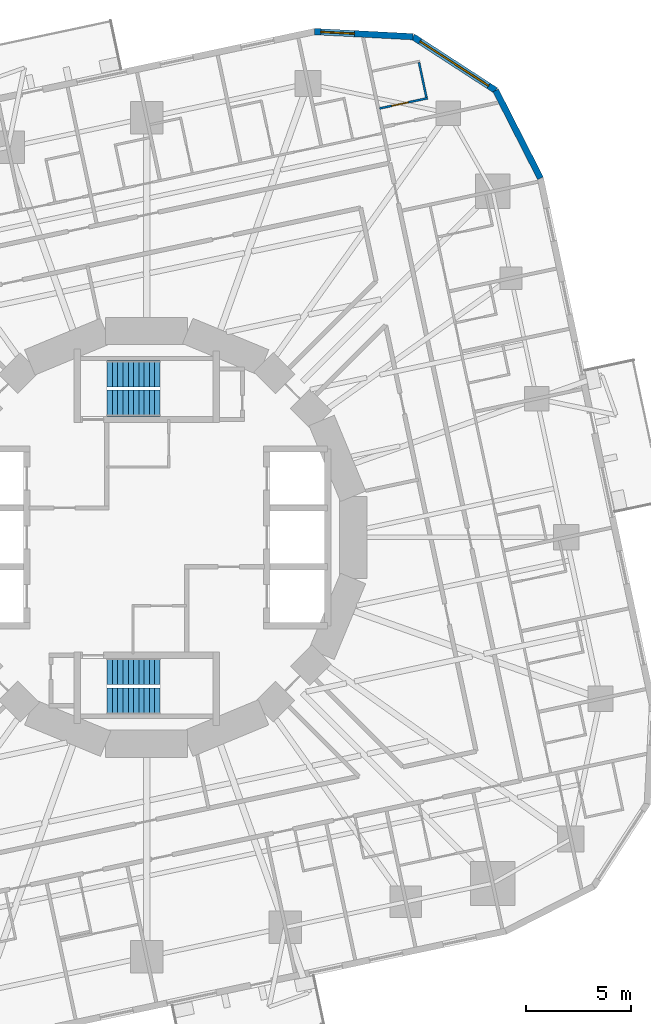
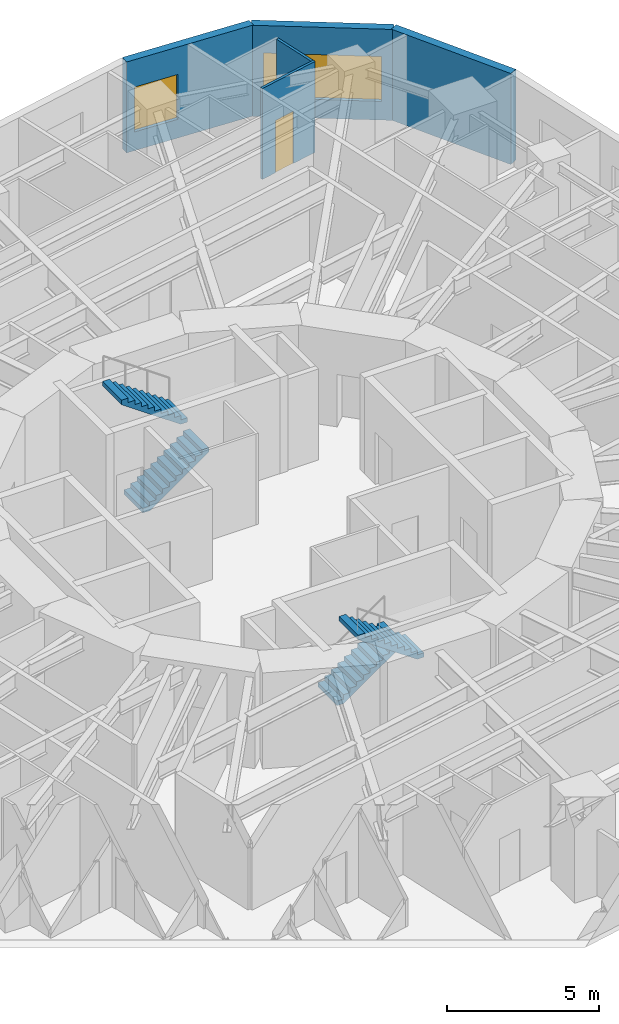
# One storey, part 12 of 14: 5 walls, 4 stair flights, 2 windows, 1 door, 3 openings, 2 elements without a shape of their own.
"""IFC4 building model written with IfcOpenShell, lengths in metres."""

from ifc_helpers import new_model, si_unit, direction, frame, frame_2d, origin, place, context, subcontext, project, spatial, polyline, rectangle, outline, extrude, material, layer, layer_set, type_object, element, fill, aggregate, save


model = new_model("IFC4")

# Units and contexts
model_context = context("Model", 3, precision=1e-05, world=origin(), true_north=direction((0.0, 1.0)))
body_context = subcontext(model_context, "Body", "Model", "MODEL_VIEW")
ifc_project = project(units=[si_unit("LENGTHUNIT", "METRE"), si_unit("AREAUNIT", "SQUARE_METRE"), si_unit("VOLUMEUNIT", "CUBIC_METRE"), si_unit("PLANEANGLEUNIT", "RADIAN"), si_unit("MASSUNIT", "GRAM", prefix="KILO")], contexts=[model_context])

# Site, building, storey
site_placement = place(None, origin())
site = spatial("IfcSite", under=ifc_project, at=site_placement, CompositionType="ELEMENT")
building_placement = place(site_placement, origin())
building = spatial("IfcBuilding", under=site, at=building_placement, Name="Nakasero Lantern House", CompositionType="ELEMENT")
storey_placement = place(building_placement, frame((0.0, 0.0, 108.85009765625)))
storey = spatial("IfcBuildingStorey", under=building, at=storey_placement, Name="L26", CompositionType="ELEMENT", Elevation=108.85009765625)

# Wall, opening, door
ifc_material_1 = material(Name="Blockwork", Category="masonry")
ifc_layer_1 = layer(ifc_material_1, 0.10009765625)
ifc_layer_set_1 = layer_set([ifc_layer_1], Name="En-suite wall 100")
wall_type_1 = type_object("IfcWallType", Name="En-suite wall 100", PredefinedType="PARTITIONING", material=ifc_layer_set_1)
wall_1_placement = place(storey_placement, frame((11.069091796875, 20.382568359375, 0.0), z_axis=(0.0, 0.0, 1.0), x_axis=(0.978136257952, 0.207965047255, 0.0)))
wall_1 = element("IfcWall", 1, at=wall_1_placement, inside=storey, type_object=wall_type_1, Name="En-suite wall L26 ES0-08", PredefinedType="PARTITIONING", context=body_context, shape_type="SweptSolid", body=[
    extrude(rectangle(XDim=2.3349609375, YDim=0.10009765625, at=frame_2d((1.16748046875, 0.0))), origin(), (0.0, 0.0, 1.0), 3.64990234375),
])
opening_1_placement = place(wall_1_placement, frame((0.5849609375, 0.0, 0.0)))
opening_1 = element("IfcOpeningElement", 2, at=opening_1_placement, cuts=wall_1, Name="Opening D02", PredefinedType="OPENING", context=body_context, shape_type="SweptSolid", body=[
    extrude(rectangle(XDim=0.800048828125, YDim=2.10009765625, at=frame_2d((0.39990234375, 1.050048828125))), frame((0.0, 0.070068359375, 0.0), z_axis=(0.0, -1.0, 0.0), x_axis=(1.0, 0.0, 0.0)), (0.0, 0.0, 1.0), 0.14013671875),
])
ifc_material_2 = material(Name="Timber C24", Category="wood")
door_type = type_object("IfcDoorType", Name="En-suite door 800", OperationType="SINGLE_SWING_RIGHT", PredefinedType="DOOR", material=ifc_material_2)
door_placement = place(opening_1_placement, origin())
door = element("IfcDoor", 3, at=door_placement, inside=storey, type_object=door_type, Name="Door L26 DE0-08", OperationType="SINGLE_SWING_LEFT", OverallHeight=2.10009765625, OverallWidth=0.800048828125, PredefinedType="DOOR", context=body_context, shape_type="SweptSolid", body=[
    extrude(rectangle(XDim=0.800048828125, YDim=2.10009765625, at=frame_2d((0.39990234375, 1.050048828125))), frame((0.0, 0.02490234375, 0.0), z_axis=(0.0, -1.0, 0.0), x_axis=(1.0, 0.0, 0.0)), (0.0, 0.0, 1.0), 0.050048828125),
])
fill(opening_1, door)

# Walls
wall_2_placement = place(storey_placement, frame((13.293701171875, 20.906494140625, 0.0), z_axis=(0.0, 0.0, 1.0), x_axis=(-0.207812379357, 0.978168704767, 0.0)))
element("IfcWall", 4, at=wall_2_placement, inside=storey, type_object=wall_type_1, Name="En-suite wall L26 EE0-08", PredefinedType="PARTITIONING", context=body_context, shape_type="SweptSolid", body=[
    extrude(rectangle(XDim=1.699951171875, YDim=0.10009765625, at=frame_2d((0.85009765625, 0.0))), origin(), (0.0, 0.0, 1.0), 3.64990234375),
])
ifc_material_3 = material(Name="Aluminium rainscreen on blockwork", Category="masonry")
ifc_layer_2 = layer(ifc_material_3, 0.300048828125)
ifc_layer_set_2 = layer_set([ifc_layer_2], Name="Facade wall 300")
wall_type_2 = type_object("IfcWallType", Name="Facade wall 300", PredefinedType="SOLIDWALL", material=ifc_layer_set_2)
wall_3_placement = place(storey_placement, frame((18.711181640625, 17.063232421875, 0.0), z_axis=(0.0, 0.0, 1.0), x_axis=(-0.453975745332, 0.89101404178, 0.0)))
element("IfcWall", 5, at=wall_3_placement, inside=storey, type_object=wall_type_2, Name="Facade wall L26 FW0C1", PredefinedType="SOLIDWALL", context=body_context, shape_type="SweptSolid", body=[
    extrude(rectangle(XDim=4.6845703125, YDim=0.300048828125, at=frame_2d((2.34228515625, 0.0))), origin(), (0.0, 0.0, 1.0), 3.64990234375),
])

# Wall, opening, window
wall_4_placement = place(storey_placement, frame((16.58447265625, 21.2373046875, 0.0), z_axis=(0.0, 0.0, 1.0), x_axis=(-0.838692381994, 0.544605442853, 0.0)))
wall_4 = element("IfcWall", 6, at=wall_4_placement, inside=storey, type_object=wall_type_2, Name="Facade wall L26 FW0C2", PredefinedType="SOLIDWALL", context=body_context, shape_type="SweptSolid", body=[
    extrude(rectangle(XDim=4.6845703125, YDim=0.300048828125, at=frame_2d((2.34228515625, 0.0))), origin(), (0.0, 0.0, 1.0), 3.64990234375),
])
opening_2_placement = place(wall_4_placement, frame((0.39990234375, 0.0, 0.75)))
opening_2 = element("IfcOpeningElement", 7, at=opening_2_placement, cuts=wall_4, Name="Opening W238", PredefinedType="OPENING", context=body_context, shape_type="SweptSolid", body=[
    extrude(rectangle(XDim=3.885009765625, YDim=1.800048828125, at=frame_2d((1.9423828125, 0.89990234375))), frame((0.0, 0.169921875, 0.0), z_axis=(0.0, -1.0, 0.0), x_axis=(1.0, 0.0, 0.0)), (0.0, 0.0, 1.0), 0.340087890625),
])
ifc_material_4 = material(Name="Aluminium 6063-T6 and glass", Category="aluminium")
window_type_1 = type_object("IfcWindowType", Name="Corner window 3885x1800", PartitioningType="SINGLE_PANEL", PredefinedType="WINDOW", material=ifc_material_4)
window_1_placement = place(opening_2_placement, origin())
window_1 = element("IfcWindow", 8, at=window_1_placement, inside=storey, type_object=window_type_1, Name="Window L26 WC0", OverallHeight=1.800048828125, OverallWidth=3.885009765625, PartitioningType="SINGLE_PANEL", PredefinedType="WINDOW", context=body_context, shape_type="SweptSolid", body=[
    extrude(rectangle(XDim=3.885009765625, YDim=1.800048828125, at=frame_2d((1.9423828125, 0.89990234375))), frame((0.0, 0.030029296875, 0.0), z_axis=(0.0, -1.0, 0.0), x_axis=(1.0, 0.0, 0.0)), (0.0, 0.0, 1.0), 0.06005859375),
])
fill(opening_2, window_1)

wall_5_placement = place(storey_placement, frame((12.655517578125, 23.78857421875, 0.0), z_axis=(0.0, 0.0, 1.0), x_axis=(-0.998630039879, 0.052326317, 0.0)))
wall_5 = element("IfcWall", 9, at=wall_5_placement, inside=storey, type_object=wall_type_2, Name="Facade wall L26 FW0C3", PredefinedType="SOLIDWALL", context=body_context, shape_type="SweptSolid", body=[
    extrude(rectangle(XDim=4.684326171875, YDim=0.300048828125, at=frame_2d((2.34228515625, 0.0))), origin(), (0.0, 0.0, 1.0), 3.64990234375),
])
opening_3_placement = place(wall_5_placement, frame((2.784912109375, 0.0, 0.75)))
opening_3 = element("IfcOpeningElement", 10, at=opening_3_placement, cuts=wall_5, Name="Opening W01", PredefinedType="OPENING", context=body_context, shape_type="SweptSolid", body=[
    extrude(rectangle(XDim=1.60009765625, YDim=1.800048828125, at=frame_2d((0.800048828125, 0.89990234375))), frame((0.0, 0.169921875, 0.0), z_axis=(0.0, -1.0, 0.0), x_axis=(1.0, 0.0, 0.0)), (0.0, 0.0, 1.0), 0.340087890625),
])
ifc_material_5 = material(Name="Aluminium 6063-T6 and glass", Category="aluminium")
window_type_2 = type_object("IfcWindowType", Name="Bedroom window 1600x1800", PartitioningType="SINGLE_PANEL", PredefinedType="WINDOW", material=ifc_material_5)
window_2_placement = place(opening_3_placement, origin())
window_2 = element("IfcWindow", 11, at=window_2_placement, inside=storey, type_object=window_type_2, Name="Window L26 WN1-00", OverallHeight=1.800048828125, OverallWidth=1.60009765625, PartitioningType="SINGLE_PANEL", PredefinedType="WINDOW", context=body_context, shape_type="SweptSolid", body=[
    extrude(rectangle(XDim=1.60009765625, YDim=1.800048828125, at=frame_2d((0.800048828125, 0.89990234375))), frame((0.0, 0.030029296875, 0.0), z_axis=(0.0, -1.0, 0.0), x_axis=(1.0, 0.0, 0.0)), (0.0, 0.0, 1.0), 0.06005859375),
])
fill(opening_3, window_2)

# Stair, stair flights
ifc_material_6 = material(Name="Concrete C40/50", Category="concrete")
stair_type_1 = type_object("IfcStairType", Name="Escape stair ST1 22 risers", PredefinedType="HALF_TURN_STAIR", material=ifc_material_6)
stair_1_placement = place(storey_placement, origin())
stair_1 = element("IfcStair", 12, at=stair_1_placement, inside=storey, type_object=stair_type_1, Name="Escape stair ST1 L26", PredefinedType="HALF_TURN_STAIR")
ifc_material_7 = material(Name="Concrete C40/50", Category="concrete")
stair_flight_type = type_object("IfcStairFlightType", Name="Escape stair flight", PredefinedType="STRAIGHT", material=ifc_material_7)
stair_flight_1_placement = place(storey_placement, frame((-1.875, 6.375, 0.0), z_axis=(0.0, 0.0, 1.0), x_axis=(1.0, 0.0, 0.0)))
stair_flight_1 = element("IfcStairFlight", 13, at=stair_flight_1_placement, type_object=stair_flight_type, Name="ST1 flight 1", NumberOfRisers=11, NumberOfTreads=10, PredefinedType="STRAIGHT", RiserHeight=0.175, TreadLength=0.25, context=body_context, shape_type="SweptSolid", body=[
    extrude(outline(polyline([(0.0, 0.0), (0.0, 0.175048828125), (0.25, 0.175048828125), (0.25, 0.35009765625), (0.5, 0.35009765625), (0.5, 0.52490234375), (0.75, 0.52490234375), (0.75, 0.699951171875), (1.0, 0.699951171875), (1.0, 0.875), (1.25, 0.875), (1.25, 1.050048828125), (1.5, 1.050048828125), (1.5, 1.22509765625), (1.75, 1.22509765625), (1.75, 1.39990234375), (2.0, 1.39990234375), (2.0, 1.574951171875), (2.25, 1.574951171875), (2.25, 1.75), (2.5, 1.75), (2.5, 1.925048828125), (2.5, 1.567138671875), (0.261474609375, 0.0), (0.0, 0.0)])), frame((0.0, 0.625, 0.0), z_axis=(0.0, -1.0, 0.0), x_axis=(1.0, 0.0, 0.0)), (0.0, 0.0, 1.0), 1.25),
])
stair_flight_2_placement = place(storey_placement, frame((0.625, 7.77490234375, 1.9248046875), z_axis=(0.0, 0.0, 1.0), x_axis=(-1.0, 0.0, 0.0)))
stair_flight_2 = element("IfcStairFlight", 14, at=stair_flight_2_placement, type_object=stair_flight_type, Name="ST1 flight 2", NumberOfRisers=11, NumberOfTreads=10, PredefinedType="STRAIGHT", RiserHeight=0.175, TreadLength=0.25, context=body_context, shape_type="SweptSolid", body=[
    extrude(outline(polyline([(0.0, 0.0), (0.0, 0.175048828125), (0.25, 0.175048828125), (0.25, 0.35009765625), (0.5, 0.35009765625), (0.5, 0.52490234375), (0.75, 0.52490234375), (0.75, 0.699951171875), (1.0, 0.699951171875), (1.0, 0.875), (1.25, 0.875), (1.25, 1.050048828125), (1.5, 1.050048828125), (1.5, 1.22509765625), (1.75, 1.22509765625), (1.75, 1.39990234375), (2.0, 1.39990234375), (2.0, 1.574951171875), (2.25, 1.574951171875), (2.25, 1.75), (2.5, 1.75), (2.5, 1.925048828125), (2.5, 1.567138671875), (0.261474609375, 0.0), (0.0, 0.0)])), frame((0.0, 0.625, 0.0), z_axis=(0.0, -1.0, 0.0), x_axis=(1.0, 0.0, 0.0)), (0.0, 0.0, 1.0), 1.25),
])
aggregate(stair_1, [stair_flight_1, stair_flight_2])

ifc_material_8 = material(Name="Concrete C40/50", Category="concrete")
stair_type_2 = type_object("IfcStairType", Name="Escape stair ST2 22 risers", PredefinedType="HALF_TURN_STAIR", material=ifc_material_8)
stair_2_placement = place(storey_placement, origin())
stair_2 = element("IfcStair", 15, at=stair_2_placement, inside=storey, type_object=stair_type_2, Name="Escape stair ST2 L26", PredefinedType="HALF_TURN_STAIR")
stair_flight_3_placement = place(storey_placement, frame((-1.875, -6.375, 0.0), z_axis=(0.0, 0.0, 1.0), x_axis=(1.0, 0.0, 0.0)))
stair_flight_3 = element("IfcStairFlight", 16, at=stair_flight_3_placement, type_object=stair_flight_type, Name="ST2 flight 1", NumberOfRisers=11, NumberOfTreads=10, PredefinedType="STRAIGHT", RiserHeight=0.175, TreadLength=0.25, context=body_context, shape_type="SweptSolid", body=[
    extrude(outline(polyline([(0.0, 0.0), (0.0, 0.175048828125), (0.25, 0.175048828125), (0.25, 0.35009765625), (0.5, 0.35009765625), (0.5, 0.52490234375), (0.75, 0.52490234375), (0.75, 0.699951171875), (1.0, 0.699951171875), (1.0, 0.875), (1.25, 0.875), (1.25, 1.050048828125), (1.5, 1.050048828125), (1.5, 1.22509765625), (1.75, 1.22509765625), (1.75, 1.39990234375), (2.0, 1.39990234375), (2.0, 1.574951171875), (2.25, 1.574951171875), (2.25, 1.75), (2.5, 1.75), (2.5, 1.925048828125), (2.5, 1.567138671875), (0.261474609375, 0.0), (0.0, 0.0)])), frame((0.0, 0.625, 0.0), z_axis=(0.0, -1.0, 0.0), x_axis=(1.0, 0.0, 0.0)), (0.0, 0.0, 1.0), 1.25),
])
stair_flight_4_placement = place(storey_placement, frame((0.625, -7.77490234375, 1.9248046875), z_axis=(0.0, 0.0, 1.0), x_axis=(-1.0, 0.0, 0.0)))
stair_flight_4 = element("IfcStairFlight", 17, at=stair_flight_4_placement, type_object=stair_flight_type, Name="ST2 flight 2", NumberOfRisers=11, NumberOfTreads=10, PredefinedType="STRAIGHT", RiserHeight=0.175, TreadLength=0.25, context=body_context, shape_type="SweptSolid", body=[
    extrude(outline(polyline([(0.0, 0.0), (0.0, 0.175048828125), (0.25, 0.175048828125), (0.25, 0.35009765625), (0.5, 0.35009765625), (0.5, 0.52490234375), (0.75, 0.52490234375), (0.75, 0.699951171875), (1.0, 0.699951171875), (1.0, 0.875), (1.25, 0.875), (1.25, 1.050048828125), (1.5, 1.050048828125), (1.5, 1.22509765625), (1.75, 1.22509765625), (1.75, 1.39990234375), (2.0, 1.39990234375), (2.0, 1.574951171875), (2.25, 1.574951171875), (2.25, 1.75), (2.5, 1.75), (2.5, 1.925048828125), (2.5, 1.567138671875), (0.261474609375, 0.0), (0.0, 0.0)])), frame((0.0, 0.625, 0.0), z_axis=(0.0, -1.0, 0.0), x_axis=(1.0, 0.0, 0.0)), (0.0, 0.0, 1.0), 1.25),
])
aggregate(stair_2, [stair_flight_3, stair_flight_4])

save(model, "model.ifc")
